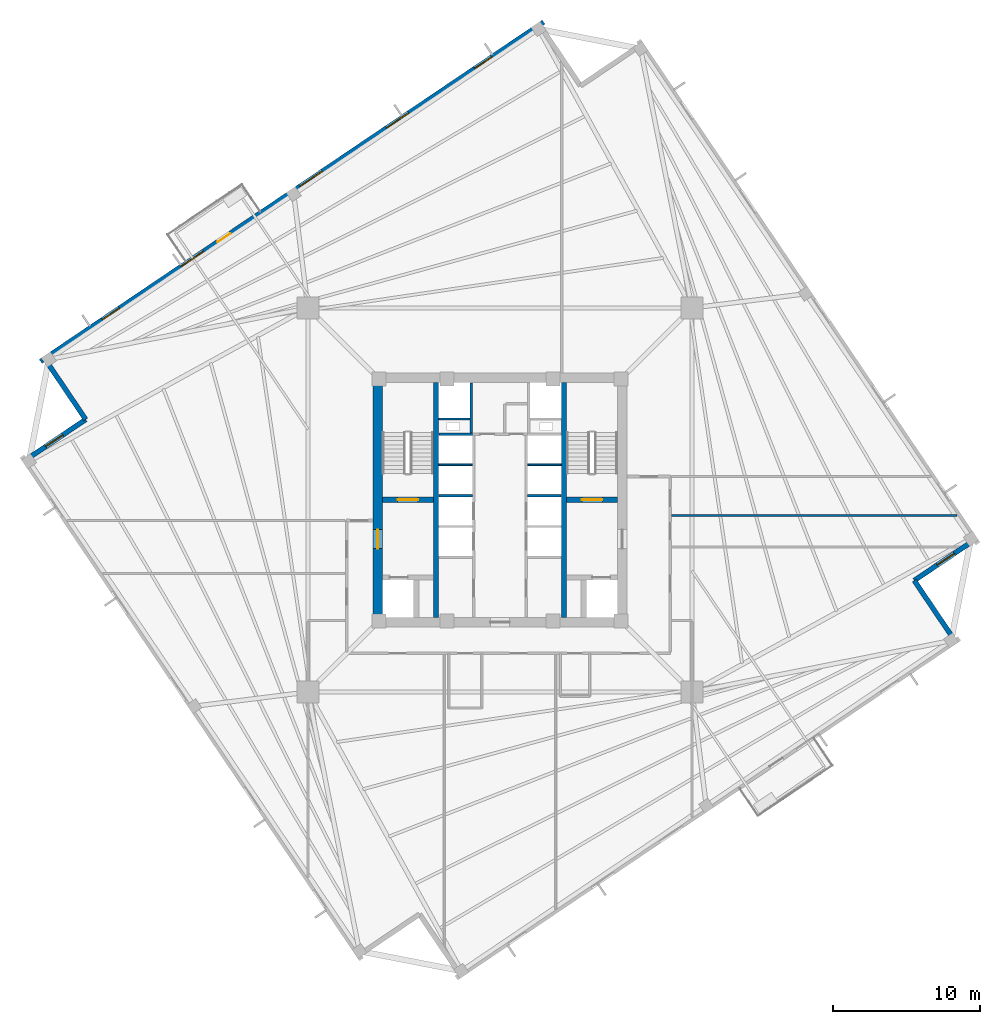
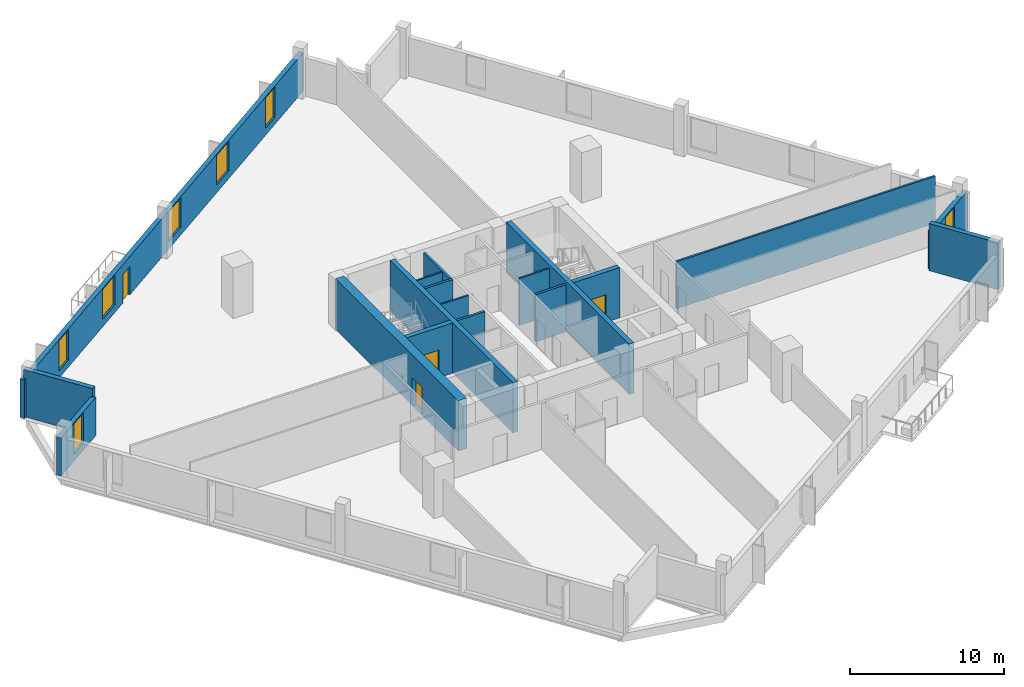
# One storey, part 4 of 8: 18 walls, 7 windows, 4 doors, 11 openings.
"""IFC4 building model written with IfcOpenShell, lengths in metres."""

from ifc_helpers import new_model, si_unit, direction, frame, frame_2d, origin, place, context, subcontext, project, spatial, rectangle, extrude, source, transform, mapped, material, layer, layer_set, type_object, element, fill, save


model = new_model("IFC4")

# Units and contexts
model_context = context("Model", 3, precision=1e-05, world=origin(), true_north=direction((0.0, 1.0)))
body_context = subcontext(model_context, "Body", "Model", "MODEL_VIEW")
ifc_project = project(units=[si_unit("LENGTHUNIT", "METRE"), si_unit("AREAUNIT", "SQUARE_METRE"), si_unit("VOLUMEUNIT", "CUBIC_METRE"), si_unit("PLANEANGLEUNIT", "RADIAN"), si_unit("MASSUNIT", "GRAM", prefix="KILO"), si_unit("THERMODYNAMICTEMPERATUREUNIT", "KELVIN")], contexts=[model_context])

# Site, building, storey
site_placement = place(None, origin())
site = spatial("IfcSite", under=ifc_project, at=site_placement, CompositionType="ELEMENT")
building_placement = place(site_placement, origin())
building = spatial("IfcBuilding", under=site, at=building_placement, Name="Kosmvard Interchange Tower", CompositionType="ELEMENT")
storey_placement = place(building_placement, frame((0.0, 0.0, 172.39990234375)))
storey = spatial("IfcBuildingStorey", under=building, at=storey_placement, Name="L41", CompositionType="ELEMENT", Elevation=172.39990234375)

# Walls
ifc_material_1 = material(Name="Acoustic gypsum partition system")
ifc_layer_1 = layer(ifc_material_1, 0.14990234375, Name="Acoustic gypsum partition system")
ifc_layer_set_1 = layer_set([ifc_layer_1], Name="Acoustic gypsum partition system")
wall_type_1 = type_object("IfcWallType", Name="Acoustic Suite & Meeting Partition 150", PredefinedType="PARTITIONING", material=ifc_layer_set_1)
wall_1_placement = place(storey_placement, frame((11.695068359375, -1.050048828125, 0.0), z_axis=(0.0, 0.0, 1.0), x_axis=(1.0, 0.0, 0.0)))
element("IfcWall", 1, at=wall_1_placement, inside=storey, type_object=wall_type_1, Name="L41 Room Partition 03.1", PredefinedType="PARTITIONING", context=body_context, shape_type="SweptSolid", body=[
    extrude(rectangle(XDim=19.43994140625, YDim=0.14990234375, at=frame_2d((9.719970703125, 0.0))), origin(), (0.0, 0.0, 1.0), 3.739990234375),
])
ifc_material_2 = material(Name="Fire-rated gypsum partition system")
ifc_layer_2 = layer(ifc_material_2, 0.159912109375, Name="Fire-rated gypsum partition system")
ifc_layer_set_2 = layer_set([ifc_layer_2], Name="Fire-rated gypsum partition system")
wall_type_2 = type_object("IfcWallType", Name="Core Compartment & Shuttle Lobby Partition 160", PredefinedType="PARTITIONING", material=ifc_layer_set_2)
wall_2_placement = place(storey_placement, frame((-1.9599609375, 4.580078125, 0.0), z_axis=(0.0, 0.0, 1.0), x_axis=(0.0, 1.0, 0.0)))
element("IfcWall", 2, at=wall_2_placement, inside=storey, type_object=wall_type_2, Name="L41 North Core West Wall", PredefinedType="PARTITIONING", context=body_context, shape_type="SweptSolid", body=[
    extrude(rectangle(XDim=3.39990234375, YDim=0.159912109375, at=frame_2d((1.699951171875, 0.0))), origin(), (0.0, 0.0, 1.0), 3.739990234375),
])

# Wall, opening, door
ifc_material_3 = material(Name="Concrete C70/85", Category="concrete")
ifc_layer_3 = layer(ifc_material_3, 0.64990234375, Name="Concrete C70/85")
ifc_layer_set_3 = layer_set([ifc_layer_3], Name="Concrete C70/85")
wall_type_3 = type_object("IfcWallType", Name="Mid Core Shear Wall 650 C70/85", PredefinedType="SHEAR", material=ifc_layer_set_3)
wall_3_placement = place(storey_placement, frame((-8.324951171875, -8.0, 0.0), z_axis=(0.0, 0.0, 1.0), x_axis=(0.0, 1.0, 0.0)))
wall_3 = element("IfcWall", 3, at=wall_3_placement, inside=storey, type_object=wall_type_3, Name="L41 Core Shear Wall CW-W", PredefinedType="SHEAR", context=body_context, shape_type="SweptSolid", body=[
    extrude(rectangle(XDim=16.0, YDim=0.64990234375, at=frame_2d((8.0, 0.0))), origin(), (0.0, 0.0, 1.0), 4.0),
])
opening_1_placement = place(wall_3_placement, frame((4.68994140625, 0.0, 0.0)))
opening_1 = element("IfcOpeningElement", 4, at=opening_1_placement, cuts=wall_3, Name="Opening L41-FD1", PredefinedType="OPENING", context=body_context, shape_type="SweptSolid", body=[
    extrude(rectangle(XDim=1.300048828125, YDim=2.199951171875, at=frame_2d((0.64990234375, 1.10009765625))), frame((0.0, 0.3349609375, 0.0), z_axis=(0.0, -1.0, 0.0), x_axis=(1.0, 0.0, 0.0)), (0.0, 0.0, 1.0), 0.669921875),
])
ifc_material_4 = material(Name="Painted fire-rated steel leaf", Category="steel")
door_type_1 = type_object("IfcDoorType", Name="Firefighting Lobby Door 1300x2200 EI60", OperationType="NOTDEFINED", PredefinedType="DOOR", material=ifc_material_4)
shared_shape_1 = source(origin(), body_context, "Body", "SweptSolid", [
    extrude(rectangle(XDim=1.300048828125, YDim=2.199951171875, at=frame_2d((0.64990234375, 1.10009765625))), frame((0.0, 0.02490234375, 0.0), z_axis=(0.0, -1.0, 0.0), x_axis=(1.0, 0.0, 0.0)), (0.0, 0.0, 1.0), 0.050048828125),
])
door_1_placement = place(opening_1_placement, frame((1.300048828125, 0.0, 0.0), z_axis=(0.0, 0.0, 1.0), x_axis=(-1.0, 0.0, 0.0)))
door_1 = element("IfcDoor", 5, at=door_1_placement, inside=storey, type_object=door_type_1, Name="L41 Firefighting Lobby West Door", OperationType="SINGLE_SWING_LEFT", OverallHeight=2.199951171875, OverallWidth=1.300048828125, PredefinedType="DOOR", context=body_context, shape_type="MappedRepresentation", body=[
    mapped(shared_shape_1, transform((0.0, 0.0, 0.0), scale=1.0)),
])
fill(opening_1, door_1)

# Wall
ifc_material_5 = material(Name="Precast concrete C45/55", Category="concrete")
ifc_layer_4 = layer(ifc_material_5, 0.340087890625, Name="Precast concrete C45/55")
ifc_layer_set_4 = layer_set([ifc_layer_4], Name="Precast concrete C45/55")
wall_type_4 = type_object("IfcWallType", Name="Mid Tower Precast Pier Wall 340 C45/55", PredefinedType="STANDARD", material=ifc_layer_set_4)
wall_4_placement = place(storey_placement, frame((31.018798828125, -9.631103515625, 0.0), z_axis=(0.0, 0.0, 1.0), x_axis=(-0.559210350234, 0.829025804298, 0.0)))
element("IfcWall", 6, at=wall_4_placement, inside=storey, type_object=wall_type_4, Name="L41 Precast Facade Wall N-SE1", PredefinedType="STANDARD", context=body_context, shape_type="SweptSolid", body=[
    extrude(rectangle(XDim=5.000244140625, YDim=0.340087890625, at=frame_2d((2.5, 0.0))), origin(), (0.0, 0.0, 1.0), 3.739990234375),
])

# Wall, opening, window
wall_5_placement = place(storey_placement, frame((28.22265625, -5.48583984375, 0.0), z_axis=(0.0, 0.0, 1.0), x_axis=(0.82905227345, 0.559171107879, 0.0)))
wall_5 = element("IfcWall", 7, at=wall_5_placement, inside=storey, type_object=wall_type_4, Name="L41 Precast Facade Wall N-SE2", PredefinedType="STANDARD", context=body_context, shape_type="SweptSolid", body=[
    extrude(rectangle(XDim=5.169921875, YDim=0.340087890625, at=frame_2d((2.5849609375, 0.0))), origin(), (0.0, 0.0, 1.0), 3.0400390625),
])
opening_2_placement = place(wall_5_placement, frame((1.885009765625, 0.0, 0.56005859375)))
opening_2 = element("IfcOpeningElement", 8, at=opening_2_placement, cuts=wall_5, Name="Opening L41-W21", PredefinedType="OPENING", context=body_context, shape_type="SweptSolid", body=[
    extrude(rectangle(XDim=1.39990234375, YDim=2.39990234375, at=frame_2d((0.699951171875, 1.199951171875))), frame((0.0, 0.18017578125, 0.0), z_axis=(0.0, -1.0, 0.0), x_axis=(1.0, 0.0, 0.0)), (0.0, 0.0, 1.0), 0.360107421875),
])
ifc_material_6 = material(Name="Low-E solar-control double glazing", Category="glass")
window_type_1 = type_object("IfcWindowType", Name="Notched Corner Feature Window 1400x2400", PartitioningType="SINGLE_PANEL", PredefinedType="WINDOW", material=ifc_material_6)
shared_shape_2 = source(origin(), body_context, "Body", "SweptSolid", [
    extrude(rectangle(XDim=1.39990234375, YDim=2.39990234375, at=frame_2d((0.699951171875, 1.199951171875))), frame((0.0, 0.030029296875, 0.0), z_axis=(0.0, -1.0, 0.0), x_axis=(1.0, 0.0, 0.0)), (0.0, 0.0, 1.0), 0.06005859375),
])
window_1_placement = place(opening_2_placement, origin())
window_1 = element("IfcWindow", 9, at=window_1_placement, inside=storey, type_object=window_type_1, Name="L41 Corner Notch Window 21", OverallHeight=2.39990234375, OverallWidth=1.39990234375, PartitioningType="SINGLE_PANEL", PredefinedType="WINDOW", context=body_context, shape_type="MappedRepresentation", body=[
    mapped(shared_shape_2, transform((0.0, 0.0, 0.0), scale=1.0)),
])
fill(opening_2, window_1)

# Wall, openings, door, windows
wall_6_placement = place(storey_placement, frame((2.971923828125, 32.55810546875, 0.0), z_axis=(0.0, 0.0, 1.0), x_axis=(-0.829036218961, -0.559194910251, 0.0)))
wall_6 = element("IfcWall", 10, at=wall_6_placement, inside=storey, type_object=wall_type_4, Name="L41 Precast Facade Wall F-N", PredefinedType="STANDARD", context=body_context, shape_type="SweptSolid", body=[
    extrude(rectangle(XDim=41.340087890625, YDim=0.340087890625, at=frame_2d((20.669921875, 0.0))), origin(), (0.0, 0.0, 1.0), 3.0400390625),
])
opening_3_placement = place(wall_6_placement, frame((25.7451171875, 0.0, 0.0)))
opening_3 = element("IfcOpeningElement", 11, at=opening_3_placement, cuts=wall_6, Name="Opening L41-BDE", PredefinedType="OPENING", context=body_context, shape_type="SweptSolid", body=[
    extrude(rectangle(XDim=1.050048828125, YDim=2.25, at=frame_2d((0.52490234375, 1.125))), frame((0.0, 0.18017578125, 0.0), z_axis=(0.0, -1.0, 0.0), x_axis=(1.0, 0.0, 0.0)), (0.0, 0.0, 1.0), 0.360107421875),
])
opening_4_placement = place(wall_6_placement, frame((4.2607421875, 0.0, 0.56005859375)))
opening_4 = element("IfcOpeningElement", 12, at=opening_4_placement, cuts=wall_6, Name="Opening L41-W11", PredefinedType="OPENING", context=body_context, shape_type="SweptSolid", body=[
    extrude(rectangle(XDim=1.39990234375, YDim=2.39990234375, at=frame_2d((0.699951171875, 1.199951171875))), frame((0.0, 0.18017578125, 0.0), z_axis=(0.0, -1.0, 0.0), x_axis=(1.0, 0.0, 0.0)), (0.0, 0.0, 1.0), 0.360107421875),
])
opening_5_placement = place(wall_6_placement, frame((11.063720703125, 0.0, 0.610107421875)))
opening_5 = element("IfcOpeningElement", 13, at=opening_5_placement, cuts=wall_6, Name="Opening L41-W12", PredefinedType="OPENING", context=body_context, shape_type="SweptSolid", body=[
    extrude(rectangle(XDim=1.85009765625, YDim=2.35009765625, at=frame_2d((0.925048828125, 1.175048828125))), frame((0.0, 0.18017578125, 0.0), z_axis=(0.0, -1.0, 0.0), x_axis=(1.0, 0.0, 0.0)), (0.0, 0.0, 1.0), 0.360107421875),
])
opening_6_placement = place(wall_6_placement, frame((18.168212890625, 0.0, 0.610107421875)))
opening_6 = element("IfcOpeningElement", 14, at=opening_6_placement, cuts=wall_6, Name="Opening L41-W13", PredefinedType="OPENING", context=body_context, shape_type="SweptSolid", body=[
    extrude(rectangle(XDim=1.85009765625, YDim=2.35009765625, at=frame_2d((0.925048828125, 1.175048828125))), frame((0.0, 0.18017578125, 0.0), z_axis=(0.0, -1.0, 0.0), x_axis=(1.0, 0.0, 0.0)), (0.0, 0.0, 1.0), 0.360107421875),
])
opening_7_placement = place(wall_6_placement, frame((27.936279296875, 0.0, 0.610107421875)))
opening_7 = element("IfcOpeningElement", 15, at=opening_7_placement, cuts=wall_6, Name="Opening L41-W14", PredefinedType="OPENING", context=body_context, shape_type="SweptSolid", body=[
    extrude(rectangle(XDim=1.85009765625, YDim=2.35009765625, at=frame_2d((0.925048828125, 1.175048828125))), frame((0.0, 0.18017578125, 0.0), z_axis=(0.0, -1.0, 0.0), x_axis=(1.0, 0.0, 0.0)), (0.0, 0.0, 1.0), 0.360107421875),
])
opening_8_placement = place(wall_6_placement, frame((34.852294921875, 0.0, 0.56005859375)))
opening_8 = element("IfcOpeningElement", 16, at=opening_8_placement, cuts=wall_6, Name="Opening L41-W15", PredefinedType="OPENING", context=body_context, shape_type="SweptSolid", body=[
    extrude(rectangle(XDim=1.39990234375, YDim=2.39990234375, at=frame_2d((0.699951171875, 1.199951171875))), frame((0.0, 0.18017578125, 0.0), z_axis=(0.0, -1.0, 0.0), x_axis=(1.0, 0.0, 0.0)), (0.0, 0.0, 1.0), 0.360107421875),
])
ifc_material_7 = material(Name="Anodised aluminium and safety glass", Category="aluminium")
door_type_2 = type_object("IfcDoorType", Name="Tree-Balcony Glazed Door 1050x2250", OperationType="NOTDEFINED", PredefinedType="DOOR", material=ifc_material_7)
shared_shape_3 = source(origin(), body_context, "Body", "SweptSolid", [
    extrude(rectangle(XDim=1.050048828125, YDim=2.25, at=frame_2d((0.52490234375, 1.125))), frame((0.0, 0.02490234375, 0.0), z_axis=(0.0, -1.0, 0.0), x_axis=(1.0, 0.0, 0.0)), (0.0, 0.0, 1.0), 0.050048828125),
])
door_2_placement = place(opening_3_placement, origin())
door_2 = element("IfcDoor", 17, at=door_2_placement, inside=storey, type_object=door_type_2, Name="L41 Tree-Balcony Door BAL-L41-NE", OperationType="SINGLE_SWING_RIGHT", OverallHeight=2.25, OverallWidth=1.050048828125, PredefinedType="DOOR", context=body_context, shape_type="MappedRepresentation", body=[
    mapped(shared_shape_3, transform((0.0, 0.0, 0.0), scale=1.0)),
])
fill(opening_3, door_2)
window_2_placement = place(opening_4_placement, origin())
window_2 = element("IfcWindow", 18, at=window_2_placement, inside=storey, type_object=window_type_1, Name="L41 Facade Punched Window 11", OverallHeight=2.39990234375, OverallWidth=1.39990234375, PartitioningType="SINGLE_PANEL", PredefinedType="WINDOW", context=body_context, shape_type="MappedRepresentation", body=[
    mapped(shared_shape_2, transform((0.0, 0.0, 0.0), scale=1.0)),
])
fill(opening_4, window_2)
window_3_placement = place(opening_8_placement, origin())
window_3 = element("IfcWindow", 19, at=window_3_placement, inside=storey, type_object=window_type_1, Name="L41 Facade Punched Window 15", OverallHeight=2.39990234375, OverallWidth=1.39990234375, PartitioningType="SINGLE_PANEL", PredefinedType="WINDOW", context=body_context, shape_type="MappedRepresentation", body=[
    mapped(shared_shape_2, transform((0.0, 0.0, 0.0), scale=1.0)),
])
fill(opening_8, window_3)
window_type_2 = type_object("IfcWindowType", Name="Zone 3 Office Punched Window 1850x2350", PartitioningType="SINGLE_PANEL", PredefinedType="WINDOW", material=ifc_material_6)
shared_shape_4 = source(origin(), body_context, "Body", "SweptSolid", [
    extrude(rectangle(XDim=1.85009765625, YDim=2.35009765625, at=frame_2d((0.925048828125, 1.175048828125))), frame((0.0, 0.030029296875, 0.0), z_axis=(0.0, -1.0, 0.0), x_axis=(1.0, 0.0, 0.0)), (0.0, 0.0, 1.0), 0.06005859375),
])
window_4_placement = place(opening_5_placement, origin())
window_4 = element("IfcWindow", 20, at=window_4_placement, inside=storey, type_object=window_type_2, Name="L41 Facade Punched Window 12", OverallHeight=2.35009765625, OverallWidth=1.85009765625, PartitioningType="SINGLE_PANEL", PredefinedType="WINDOW", context=body_context, shape_type="MappedRepresentation", body=[
    mapped(shared_shape_4, transform((0.0, 0.0, 0.0), scale=1.0)),
])
fill(opening_5, window_4)
window_5_placement = place(opening_6_placement, origin())
window_5 = element("IfcWindow", 21, at=window_5_placement, inside=storey, type_object=window_type_2, Name="L41 Facade Punched Window 13", OverallHeight=2.35009765625, OverallWidth=1.85009765625, PartitioningType="SINGLE_PANEL", PredefinedType="WINDOW", context=body_context, shape_type="MappedRepresentation", body=[
    mapped(shared_shape_4, transform((0.0, 0.0, 0.0), scale=1.0)),
])
fill(opening_6, window_5)
window_6_placement = place(opening_7_placement, origin())
window_6 = element("IfcWindow", 22, at=window_6_placement, inside=storey, type_object=window_type_2, Name="L41 Facade Punched Window 14", OverallHeight=2.35009765625, OverallWidth=1.85009765625, PartitioningType="SINGLE_PANEL", PredefinedType="WINDOW", context=body_context, shape_type="MappedRepresentation", body=[
    mapped(shared_shape_4, transform((0.0, 0.0, 0.0), scale=1.0)),
])
fill(opening_7, window_6)

# Wall
wall_7_placement = place(storey_placement, frame((-31.018798828125, 9.631103515625, 0.0), z_axis=(0.0, 0.0, 1.0), x_axis=(0.559210350234, -0.829025804298, 0.0)))
element("IfcWall", 23, at=wall_7_placement, inside=storey, type_object=wall_type_4, Name="L41 Precast Facade Wall N-NW1", PredefinedType="STANDARD", context=body_context, shape_type="SweptSolid", body=[
    extrude(rectangle(XDim=5.000244140625, YDim=0.340087890625, at=frame_2d((2.5, 0.0))), origin(), (0.0, 0.0, 1.0), 3.739990234375),
])

# Wall, opening, window
wall_8_placement = place(storey_placement, frame((-28.22265625, 5.48583984375, 0.0), z_axis=(0.0, 0.0, 1.0), x_axis=(-0.82905227345, -0.559171107879, 0.0)))
wall_8 = element("IfcWall", 24, at=wall_8_placement, inside=storey, type_object=wall_type_4, Name="L41 Precast Facade Wall N-NW2", PredefinedType="STANDARD", context=body_context, shape_type="SweptSolid", body=[
    extrude(rectangle(XDim=5.169921875, YDim=0.340087890625, at=frame_2d((2.5849609375, 0.0))), origin(), (0.0, 0.0, 1.0), 3.0400390625),
])
opening_9_placement = place(wall_8_placement, frame((1.885009765625, 0.0, 0.56005859375)))
opening_9 = element("IfcOpeningElement", 25, at=opening_9_placement, cuts=wall_8, Name="Opening L41-W22", PredefinedType="OPENING", context=body_context, shape_type="SweptSolid", body=[
    extrude(rectangle(XDim=1.39990234375, YDim=2.39990234375, at=frame_2d((0.699951171875, 1.199951171875))), frame((0.0, 0.18017578125, 0.0), z_axis=(0.0, -1.0, 0.0), x_axis=(1.0, 0.0, 0.0)), (0.0, 0.0, 1.0), 0.360107421875),
])
window_7_placement = place(opening_9_placement, origin())
window_7 = element("IfcWindow", 26, at=window_7_placement, inside=storey, type_object=window_type_1, Name="L41 Corner Notch Window 22", OverallHeight=2.39990234375, OverallWidth=1.39990234375, PartitioningType="SINGLE_PANEL", PredefinedType="WINDOW", context=body_context, shape_type="MappedRepresentation", body=[
    mapped(shared_shape_2, transform((0.0, 0.0, 0.0), scale=1.0)),
])
fill(opening_9, window_7)

# Walls
ifc_material_8 = material(Name="Concrete blockwork masonry", Category="masonry")
ifc_layer_5 = layer(ifc_material_8, 0.179931640625, Name="Concrete blockwork masonry")
ifc_layer_set_5 = layer_set([ifc_layer_5], Name="Concrete blockwork masonry")
wall_type_5 = type_object("IfcWallType", Name="Riser & Lift Bank Divider Wall 180", PredefinedType="PARTITIONING", material=ifc_layer_set_5)
for number, where, z_axis, x_axis, name in (
    (27, (-4.169921875, 0.300048828125, 0.0), (0.0, 0.0, 1.0), (1.0, 0.0, 0.0), "L41 West Bank Divider BD2"),
    (28, (1.889892578125, 0.300048828125, 0.0), (0.0, 0.0, 1.0), (1.0, 0.0, 0.0), "L41 East Bank Divider BD2"),
    (29, (-4.169921875, 4.489990234375, 0.0), (0.0, 0.0, 1.0), (1.0, 0.0, 0.0), "L41 West Bank Divider BD3"),
):
    element("IfcWall", number, at=place(storey_placement, frame(where, z_axis=z_axis, x_axis=x_axis)), inside=storey, type_object=wall_type_5, Name=name, PredefinedType="PARTITIONING", context=body_context, shape_type="SweptSolid", body=[
        extrude(rectangle(XDim=2.280029296875, YDim=0.179931640625, at=frame_2d((1.14013671875, 0.0))), origin(), (0.0, 0.0, 1.0), 3.739990234375),
    ])
ifc_material_9 = material(Name="Fire-rated gypsum shaftwall system")
ifc_layer_6 = layer(ifc_material_9, 0.1201171875, Name="Fire-rated gypsum shaftwall system")
ifc_layer_set_6 = layer_set([ifc_layer_6], Name="Fire-rated gypsum shaftwall system")
wall_type_6 = type_object("IfcWallType", Name="Shaft & Riser Fire Partition 120 EI60", PredefinedType="PARTITIONING", material=ifc_layer_set_6)
for number, where, z_axis, x_axis, name in (
    (30, (-4.159912109375, 2.39990234375, 0.0), (0.0, 0.0, 1.0), (1.0, 0.0, 0.0), "L41 Shaft Divider PL-H1"),
    (31, (1.89990234375, 2.39990234375, 0.0), (0.0, 0.0, 1.0), (1.0, 0.0, 0.0), "L41 Shaft Divider PL-H3"),
):
    element("IfcWall", number, at=place(storey_placement, frame(where, z_axis=z_axis, x_axis=x_axis)), inside=storey, type_object=wall_type_6, Name=name, PredefinedType="PARTITIONING", context=body_context, shape_type="SweptSolid", body=[
        extrude(rectangle(XDim=2.260009765625, YDim=0.1201171875, at=frame_2d((1.1298828125, 0.0))), origin(), (0.0, 0.0, 1.0), 3.739990234375),
    ])
wall_9_placement = place(storey_placement, frame((-4.159912109375, 5.52001953125, 0.0), z_axis=(0.0, 0.0, 1.0), x_axis=(1.0, 0.0, 0.0)))
element("IfcWall", 32, at=wall_9_placement, inside=storey, type_object=wall_type_6, Name="L41 Riser Shaft Divider W", PredefinedType="PARTITIONING", context=body_context, shape_type="SweptSolid", body=[
    extrude(rectangle(XDim=2.099853515625, YDim=0.1201171875, at=frame_2d((1.0498046875, 0.0))), origin(), (0.0, 0.0, 1.0), 3.739990234375),
])
ifc_material_10 = material(Name="Concrete C60/75", Category="concrete")
ifc_layer_7 = layer(ifc_material_10, 0.360107421875, Name="Concrete C60/75")
ifc_layer_set_7 = layer_set([ifc_layer_7], Name="Concrete C60/75")
wall_type_7 = type_object("IfcWallType", Name="Stair & Lift Shaft Shear Wall 360 C60/75", PredefinedType="SHEAR", material=ifc_layer_set_7)
for number, where, z_axis, x_axis, name in (
    (33, (-4.360107421875, -8.0, 0.0), (0.0, 0.0, 1.0), (0.0, 1.0, 0.0), "L41 Shaft Shear Wall SW-W"),
    (34, (4.360107421875, -8.0, 0.0), (0.0, 0.0, 1.0), (0.0, 1.0, 0.0), "L41 Shaft Shear Wall SW-E"),
):
    element("IfcWall", number, at=place(storey_placement, frame(where, z_axis=z_axis, x_axis=x_axis)), inside=storey, type_object=wall_type_7, Name=name, PredefinedType="SHEAR", context=body_context, shape_type="SweptSolid", body=[
        extrude(rectangle(XDim=16.0, YDim=0.360107421875, at=frame_2d((8.0, 0.0))), origin(), (0.0, 0.0, 1.0), 4.0),
    ])

# Wall, opening, door
wall_10_placement = place(storey_placement, frame((-8.0, 0.02001953125, 0.0), z_axis=(0.0, 0.0, 1.0), x_axis=(1.0, 0.0, 0.0)))
wall_10 = element("IfcWall", 35, at=wall_10_placement, inside=storey, type_object=wall_type_7, Name="L41 Shaft Shear Wall SW-ST1", PredefinedType="SHEAR", context=body_context, shape_type="SweptSolid", body=[
    extrude(rectangle(XDim=3.4599609375, YDim=0.360107421875, at=frame_2d((1.72998046875, 0.0))), origin(), (0.0, 0.0, 1.0), 4.0),
])
opening_10_placement = place(wall_10_placement, frame((1.030029296875, 0.0, 0.0)))
opening_10 = element("IfcOpeningElement", 36, at=opening_10_placement, cuts=wall_10, Name="Opening L41-SD1", PredefinedType="OPENING", context=body_context, shape_type="SweptSolid", body=[
    extrude(rectangle(XDim=1.39990234375, YDim=2.199951171875, at=frame_2d((0.699951171875, 1.10009765625))), frame((0.0, 0.18994140625, 0.0), z_axis=(0.0, -1.0, 0.0), x_axis=(1.0, 0.0, 0.0)), (0.0, 0.0, 1.0), 0.380126953125),
])
door_type_3 = type_object("IfcDoorType", Name="Protected Stair Door 1400x2200 FD60S", OperationType="NOTDEFINED", PredefinedType="DOOR", material=ifc_material_4)
shared_shape_5 = source(origin(), body_context, "Body", "SweptSolid", [
    extrude(rectangle(XDim=1.39990234375, YDim=2.199951171875, at=frame_2d((0.699951171875, 1.10009765625))), frame((0.0, 0.02490234375, 0.0), z_axis=(0.0, -1.0, 0.0), x_axis=(1.0, 0.0, 0.0)), (0.0, 0.0, 1.0), 0.050048828125),
])
door_3_placement = place(opening_10_placement, origin())
door_3 = element("IfcDoor", 37, at=door_3_placement, inside=storey, type_object=door_type_3, Name="L41 Stair ST-1 Enclosure Door", OperationType="SINGLE_SWING_LEFT", OverallHeight=2.199951171875, OverallWidth=1.39990234375, PredefinedType="DOOR", context=body_context, shape_type="MappedRepresentation", body=[
    mapped(shared_shape_5, transform((0.0, 0.0, 0.0), scale=1.0)),
])
fill(opening_10, door_3)

wall_11_placement = place(storey_placement, frame((4.5400390625, 0.02001953125, 0.0), z_axis=(0.0, 0.0, 1.0), x_axis=(1.0, 0.0, 0.0)))
wall_11 = element("IfcWall", 38, at=wall_11_placement, inside=storey, type_object=wall_type_7, Name="L41 Shaft Shear Wall SW-ST2", PredefinedType="SHEAR", context=body_context, shape_type="SweptSolid", body=[
    extrude(rectangle(XDim=3.4599609375, YDim=0.360107421875, at=frame_2d((1.72998046875, 0.0))), origin(), (0.0, 0.0, 1.0), 4.0),
])
opening_11_placement = place(wall_11_placement, frame((1.030029296875, 0.0, 0.0)))
opening_11 = element("IfcOpeningElement", 39, at=opening_11_placement, cuts=wall_11, Name="Opening L41-SD2", PredefinedType="OPENING", context=body_context, shape_type="SweptSolid", body=[
    extrude(rectangle(XDim=1.39990234375, YDim=2.199951171875, at=frame_2d((0.699951171875, 1.10009765625))), frame((0.0, 0.18994140625, 0.0), z_axis=(0.0, -1.0, 0.0), x_axis=(1.0, 0.0, 0.0)), (0.0, 0.0, 1.0), 0.380126953125),
])
door_4_placement = place(opening_11_placement, origin())
door_4 = element("IfcDoor", 40, at=door_4_placement, inside=storey, type_object=door_type_3, Name="L41 Stair ST-2 Enclosure Door", OperationType="SINGLE_SWING_RIGHT", OverallHeight=2.199951171875, OverallWidth=1.39990234375, PredefinedType="DOOR", context=body_context, shape_type="MappedRepresentation", body=[
    mapped(shared_shape_5, transform((0.0, 0.0, 0.0), scale=1.0)),
])
fill(opening_11, door_4)

save(model, "model.ifc")
